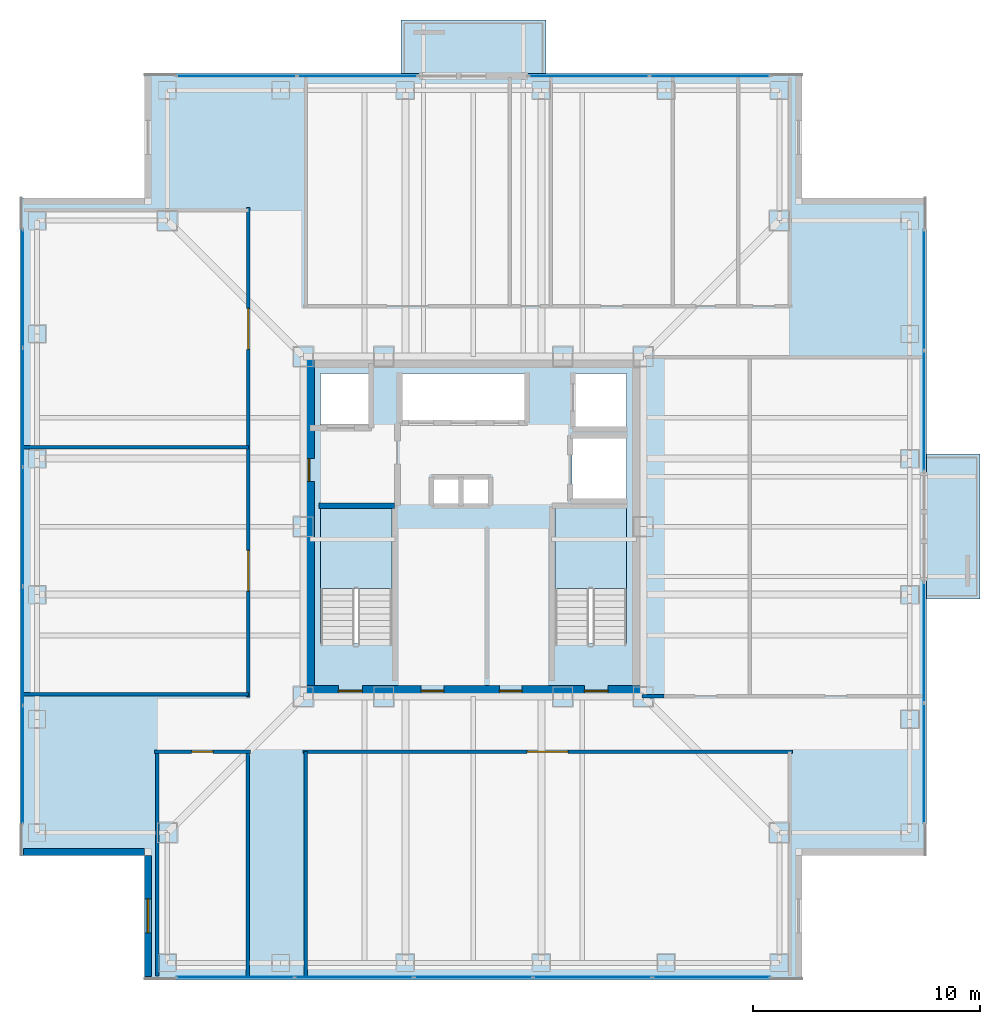
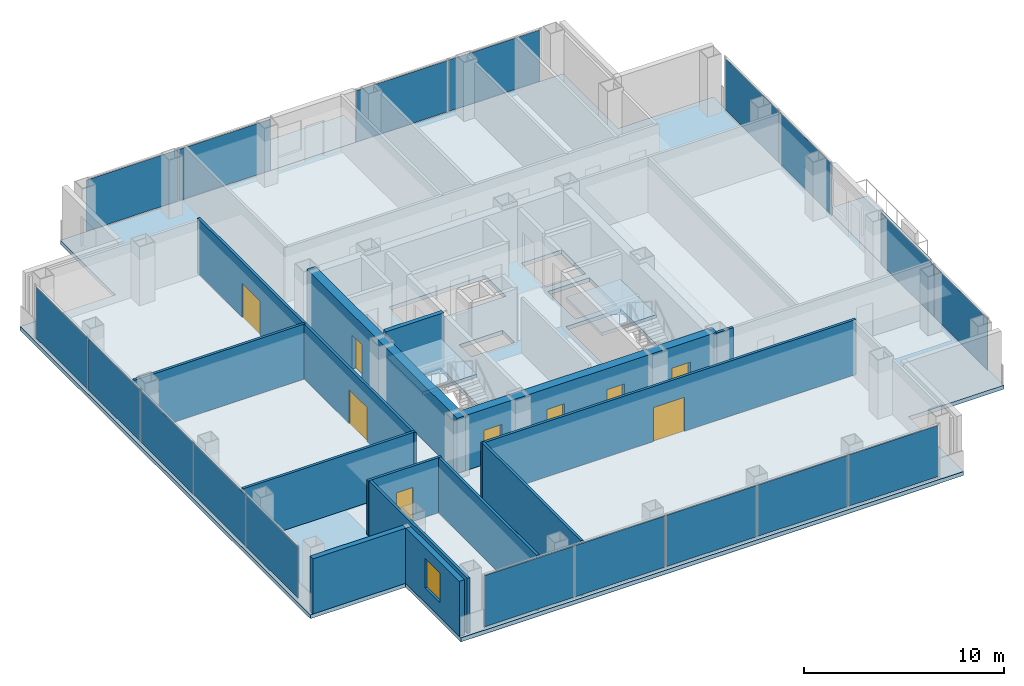
# One storey, part 9 of 17: 18 plates, 14 walls, 9 doors, 5 slabs, 1 window, 10 openings, 8 elements without a shape of their own.
"""IFC4 building model written with IfcOpenShell, lengths in metres."""

from ifc_helpers import new_model, si_unit, direction, frame, frame_2d, origin, origin_2d, place, context, subcontext, project, spatial, polyline, rectangle, outline, extrude, material, layer, layer_set, type_object, element, fill, aggregate, save


model = new_model("IFC4")

# Units and contexts
model_context = context("Model", 3, precision=1e-05, world=origin(), true_north=direction((0.0, 1.0)))
body_context = subcontext(model_context, "Body", "Model", "MODEL_VIEW")
ifc_project = project(units=[si_unit("LENGTHUNIT", "METRE"), si_unit("AREAUNIT", "SQUARE_METRE"), si_unit("VOLUMEUNIT", "CUBIC_METRE"), si_unit("PLANEANGLEUNIT", "RADIAN"), si_unit("MASSUNIT", "GRAM", prefix="KILO")], contexts=[model_context])

# Site, building, storey
site_placement = place(None, origin())
site = spatial("IfcSite", under=ifc_project, at=site_placement, CompositionType="ELEMENT")
building_placement = place(site_placement, origin())
building = spatial("IfcBuilding", under=site, at=building_placement, Name="Trevonay Congress Spire", CompositionType="ELEMENT")
storey_placement = place(building_placement, frame((0.0, 0.0, 187.800048828125)))
storey = spatial("IfcBuildingStorey", under=building, at=storey_placement, Name="L48", CompositionType="ELEMENT", Elevation=187.800048828125)

# Curtain wall, plates
ifc_material_1 = material(Name="Pale Anodised Aluminium EN AW-6063-T6", Category="aluminium")
ifc_layer_1 = layer(ifc_material_1, 0.169921875, Name="Pale Anodised Aluminium EN AW-6063-T6")
ifc_layer_set_1 = layer_set([ifc_layer_1], Name="Pale Anodised Aluminium EN AW-6063-T6")
curtain_wall_type = type_object("IfcCurtainWallType", Name="CW-SYS04-CORP-PALE-METAL", PredefinedType="NOTDEFINED", material=ifc_layer_set_1)
curtain_wall_1_placement = place(storey_placement, origin())
curtain_wall_1 = element("IfcCurtainWall", 1, at=curtain_wall_1_placement, inside=storey, type_object=curtain_wall_type, Name="L48 S unitised curtain wall", PredefinedType="NOTDEFINED")
ifc_material_2 = material(Name="Insulated Low-E Vision Glass IGU", Category="glass")
ifc_layer_2 = layer(ifc_material_2, 0.035888671875, Name="Insulated Low-E Vision Glass IGU")
ifc_layer_set_2 = layer_set([ifc_layer_2], Name="Insulated Low-E Vision Glass IGU")
plate_type = type_object("IfcPlateType", Name="CW-PANEL-IGU36-SILVER", PredefinedType="CURTAIN_PANEL", material=ifc_layer_set_2)
plate_1_placement = place(storey_placement, frame((-10.5048828125, -19.8798828125, 0.119873046875), z_axis=(0.0, 0.0, 1.0), x_axis=(1.0, 0.0, 0.0)))
plate_1 = element("IfcPlate", 2, at=plate_1_placement, type_object=plate_type, Name="CW04 panel 1.1", PredefinedType="CURTAIN_PANEL", context=body_context, shape_type="SweptSolid", body=[
    extrude(rectangle(XDim=5.169921875, YDim=0.035888671875, at=origin_2d()), origin(), (0.0, 0.0, 1.0), 3.1201171875),
])
plate_2_placement = place(storey_placement, frame((-5.260009765625, -19.8798828125, 0.119873046875), z_axis=(0.0, 0.0, 1.0), x_axis=(1.0, 0.0, 0.0)))
plate_2 = element("IfcPlate", 3, at=plate_2_placement, type_object=plate_type, Name="CW04 panel 2.1", PredefinedType="CURTAIN_PANEL", context=body_context, shape_type="SweptSolid", body=[
    extrude(rectangle(XDim=5.199951171875, YDim=0.035888671875, at=origin_2d()), origin(), (0.0, 0.0, 1.0), 3.1201171875),
])
plate_3_placement = place(storey_placement, frame((0.0, -19.8798828125, 0.119873046875), z_axis=(0.0, 0.0, 1.0), x_axis=(1.0, 0.0, 0.0)))
plate_3 = element("IfcPlate", 4, at=plate_3_placement, type_object=plate_type, Name="CW04 panel 3.1", PredefinedType="CURTAIN_PANEL", context=body_context, shape_type="SweptSolid", body=[
    extrude(rectangle(XDim=5.199951171875, YDim=0.035888671875, at=origin_2d()), origin(), (0.0, 0.0, 1.0), 3.1201171875),
])
plate_4_placement = place(storey_placement, frame((5.260009765625, -19.8798828125, 0.119873046875), z_axis=(0.0, 0.0, 1.0), x_axis=(1.0, 0.0, 0.0)))
plate_4 = element("IfcPlate", 5, at=plate_4_placement, type_object=plate_type, Name="CW04 panel 4.1", PredefinedType="CURTAIN_PANEL", context=body_context, shape_type="SweptSolid", body=[
    extrude(rectangle(XDim=5.199951171875, YDim=0.035888671875, at=origin_2d()), origin(), (0.0, 0.0, 1.0), 3.1201171875),
])
plate_5_placement = place(storey_placement, frame((10.5048828125, -19.8798828125, 0.119873046875), z_axis=(0.0, 0.0, 1.0), x_axis=(1.0, 0.0, 0.0)))
plate_5 = element("IfcPlate", 6, at=plate_5_placement, type_object=plate_type, Name="CW04 panel 5.1", PredefinedType="CURTAIN_PANEL", context=body_context, shape_type="SweptSolid", body=[
    extrude(rectangle(XDim=5.169921875, YDim=0.035888671875, at=origin_2d()), origin(), (0.0, 0.0, 1.0), 3.1201171875),
])
aggregate(curtain_wall_1, [plate_1, plate_2, plate_3, plate_4, plate_5])

curtain_wall_2_placement = place(storey_placement, origin())
curtain_wall_2 = element("IfcCurtainWall", 7, at=curtain_wall_2_placement, inside=storey, type_object=curtain_wall_type, Name="L48 NA unitised curtain wall", PredefinedType="NOTDEFINED")
plate_6_placement = place(storey_placement, frame((-10.447509765625, 19.8798828125, 0.119873046875), z_axis=(0.0, 0.0, 1.0), x_axis=(1.0, 0.0, 0.0)))
plate_6 = element("IfcPlate", 8, at=plate_6_placement, type_object=plate_type, Name="CW04 panel 1.1", PredefinedType="CURTAIN_PANEL", context=body_context, shape_type="SweptSolid", body=[
    extrude(rectangle(XDim=5.284912109375, YDim=0.035888671875, at=origin_2d()), origin(), (0.0, 0.0, 1.0), 3.1201171875),
])
plate_7_placement = place(storey_placement, frame((-5.1025390625, 19.8798828125, 0.119873046875), z_axis=(0.0, 0.0, 1.0), x_axis=(1.0, 0.0, 0.0)))
plate_7 = element("IfcPlate", 9, at=plate_7_placement, type_object=plate_type, Name="CW04 panel 2.1", PredefinedType="CURTAIN_PANEL", context=body_context, shape_type="SweptSolid", body=[
    extrude(rectangle(XDim=5.284912109375, YDim=0.035888671875, at=origin_2d()), origin(), (0.0, 0.0, 1.0), 3.1201171875),
])
aggregate(curtain_wall_2, [plate_6, plate_7])

curtain_wall_3_placement = place(storey_placement, origin())
curtain_wall_3 = element("IfcCurtainWall", 10, at=curtain_wall_3_placement, inside=storey, type_object=curtain_wall_type, Name="L48 NB unitised curtain wall", PredefinedType="NOTDEFINED")
plate_8_placement = place(storey_placement, frame((5.1025390625, 19.8798828125, 0.119873046875), z_axis=(0.0, 0.0, 1.0), x_axis=(1.0, 0.0, 0.0)))
plate_8 = element("IfcPlate", 11, at=plate_8_placement, type_object=plate_type, Name="CW04 panel 1.1", PredefinedType="CURTAIN_PANEL", context=body_context, shape_type="SweptSolid", body=[
    extrude(rectangle(XDim=5.284912109375, YDim=0.035888671875, at=origin_2d()), origin(), (0.0, 0.0, 1.0), 3.1201171875),
])
plate_9_placement = place(storey_placement, frame((10.447509765625, 19.8798828125, 0.119873046875), z_axis=(0.0, 0.0, 1.0), x_axis=(1.0, 0.0, 0.0)))
plate_9 = element("IfcPlate", 12, at=plate_9_placement, type_object=plate_type, Name="CW04 panel 2.1", PredefinedType="CURTAIN_PANEL", context=body_context, shape_type="SweptSolid", body=[
    extrude(rectangle(XDim=5.284912109375, YDim=0.035888671875, at=origin_2d()), origin(), (0.0, 0.0, 1.0), 3.1201171875),
])
aggregate(curtain_wall_3, [plate_8, plate_9])

curtain_wall_4_placement = place(storey_placement, origin())
curtain_wall_4 = element("IfcCurtainWall", 13, at=curtain_wall_4_placement, inside=storey, type_object=curtain_wall_type, Name="L48 W unitised curtain wall", PredefinedType="NOTDEFINED")
plate_10_placement = place(storey_placement, frame((-19.8798828125, -10.5048828125, 0.119873046875), z_axis=(0.0, 0.0, 1.0), x_axis=(0.0, 1.0, 0.0)))
plate_10 = element("IfcPlate", 14, at=plate_10_placement, type_object=plate_type, Name="CW04 panel 1.1", PredefinedType="CURTAIN_PANEL", context=body_context, shape_type="SweptSolid", body=[
    extrude(rectangle(XDim=5.169921875, YDim=0.035888671875, at=origin_2d()), origin(), (0.0, 0.0, 1.0), 3.1201171875),
])
plate_11_placement = place(storey_placement, frame((-19.8798828125, -5.260009765625, 0.119873046875), z_axis=(0.0, 0.0, 1.0), x_axis=(0.0, 1.0, 0.0)))
plate_11 = element("IfcPlate", 15, at=plate_11_placement, type_object=plate_type, Name="CW04 panel 2.1", PredefinedType="CURTAIN_PANEL", context=body_context, shape_type="SweptSolid", body=[
    extrude(rectangle(XDim=5.199951171875, YDim=0.035888671875, at=origin_2d()), origin(), (0.0, 0.0, 1.0), 3.1201171875),
])
plate_12_placement = place(storey_placement, frame((-19.8798828125, 0.0, 0.119873046875), z_axis=(0.0, 0.0, 1.0), x_axis=(0.0, 1.0, 0.0)))
plate_12 = element("IfcPlate", 16, at=plate_12_placement, type_object=plate_type, Name="CW04 panel 3.1", PredefinedType="CURTAIN_PANEL", context=body_context, shape_type="SweptSolid", body=[
    extrude(rectangle(XDim=5.199951171875, YDim=0.035888671875, at=origin_2d()), origin(), (0.0, 0.0, 1.0), 3.1201171875),
])
plate_13_placement = place(storey_placement, frame((-19.8798828125, 5.260009765625, 0.119873046875), z_axis=(0.0, 0.0, 1.0), x_axis=(0.0, 1.0, 0.0)))
plate_13 = element("IfcPlate", 17, at=plate_13_placement, type_object=plate_type, Name="CW04 panel 4.1", PredefinedType="CURTAIN_PANEL", context=body_context, shape_type="SweptSolid", body=[
    extrude(rectangle(XDim=5.199951171875, YDim=0.035888671875, at=origin_2d()), origin(), (0.0, 0.0, 1.0), 3.1201171875),
])
plate_14_placement = place(storey_placement, frame((-19.8798828125, 10.5048828125, 0.119873046875), z_axis=(0.0, 0.0, 1.0), x_axis=(0.0, 1.0, 0.0)))
plate_14 = element("IfcPlate", 18, at=plate_14_placement, type_object=plate_type, Name="CW04 panel 5.1", PredefinedType="CURTAIN_PANEL", context=body_context, shape_type="SweptSolid", body=[
    extrude(rectangle(XDim=5.169921875, YDim=0.035888671875, at=origin_2d()), origin(), (0.0, 0.0, 1.0), 3.1201171875),
])
aggregate(curtain_wall_4, [plate_10, plate_11, plate_12, plate_13, plate_14])

curtain_wall_5_placement = place(storey_placement, origin())
curtain_wall_5 = element("IfcCurtainWall", 19, at=curtain_wall_5_placement, inside=storey, type_object=curtain_wall_type, Name="L48 EA unitised curtain wall", PredefinedType="NOTDEFINED")
plate_15_placement = place(storey_placement, frame((19.8798828125, -10.447509765625, 0.119873046875), z_axis=(0.0, 0.0, 1.0), x_axis=(0.0, 1.0, 0.0)))
plate_15 = element("IfcPlate", 20, at=plate_15_placement, type_object=plate_type, Name="CW04 panel 1.1", PredefinedType="CURTAIN_PANEL", context=body_context, shape_type="SweptSolid", body=[
    extrude(rectangle(XDim=5.284912109375, YDim=0.035888671875, at=origin_2d()), origin(), (0.0, 0.0, 1.0), 3.1201171875),
])
plate_16_placement = place(storey_placement, frame((19.8798828125, -5.1025390625, 0.119873046875), z_axis=(0.0, 0.0, 1.0), x_axis=(0.0, 1.0, 0.0)))
plate_16 = element("IfcPlate", 21, at=plate_16_placement, type_object=plate_type, Name="CW04 panel 2.1", PredefinedType="CURTAIN_PANEL", context=body_context, shape_type="SweptSolid", body=[
    extrude(rectangle(XDim=5.284912109375, YDim=0.035888671875, at=origin_2d()), origin(), (0.0, 0.0, 1.0), 3.1201171875),
])
aggregate(curtain_wall_5, [plate_15, plate_16])

curtain_wall_6_placement = place(storey_placement, origin())
curtain_wall_6 = element("IfcCurtainWall", 22, at=curtain_wall_6_placement, inside=storey, type_object=curtain_wall_type, Name="L48 EB unitised curtain wall", PredefinedType="NOTDEFINED")
plate_17_placement = place(storey_placement, frame((19.8798828125, 5.1025390625, 0.119873046875), z_axis=(0.0, 0.0, 1.0), x_axis=(0.0, 1.0, 0.0)))
plate_17 = element("IfcPlate", 23, at=plate_17_placement, type_object=plate_type, Name="CW04 panel 1.1", PredefinedType="CURTAIN_PANEL", context=body_context, shape_type="SweptSolid", body=[
    extrude(rectangle(XDim=5.284912109375, YDim=0.035888671875, at=origin_2d()), origin(), (0.0, 0.0, 1.0), 3.1201171875),
])
plate_18_placement = place(storey_placement, frame((19.8798828125, 10.447509765625, 0.119873046875), z_axis=(0.0, 0.0, 1.0), x_axis=(0.0, 1.0, 0.0)))
plate_18 = element("IfcPlate", 24, at=plate_18_placement, type_object=plate_type, Name="CW04 panel 2.1", PredefinedType="CURTAIN_PANEL", context=body_context, shape_type="SweptSolid", body=[
    extrude(rectangle(XDim=5.284912109375, YDim=0.035888671875, at=origin_2d()), origin(), (0.0, 0.0, 1.0), 3.1201171875),
])
aggregate(curtain_wall_6, [plate_17, plate_18])

# Stair, slab
ifc_material_3 = material(Name="Concrete C40/50", Category="concrete")
stair_type_1 = type_object("IfcStairType", Name="STR-ST-1", PredefinedType="HALF_TURN_STAIR", material=ifc_material_3)
stair_1_placement = place(storey_placement, origin())
stair_1 = element("IfcStair", 25, at=stair_1_placement, inside=storey, type_object=stair_type_1, Name="L48 Protected Exit Stair ST-1", PredefinedType="HALF_TURN_STAIR")
ifc_layer_3 = layer(ifc_material_3, 0.199951171875, Name="Concrete C40/50")
ifc_layer_set_3 = layer_set([ifc_layer_3], Name="Concrete C40/50")
slab_type_1 = type_object("IfcSlabType", Name="SLB-STAIR-LAND-200", PredefinedType="LANDING", material=ifc_layer_set_3)
slab_1_placement = place(storey_placement, frame((0.0, 0.0, 1.599853515625)))
slab_1 = element("IfcSlab", 26, at=slab_1_placement, type_object=slab_type_1, Name="ST-1 landing 1", PredefinedType="LANDING", context=body_context, shape_type="SweptSolid", body=[
    extrude(outline(polyline([(-3.60009765625, -2.72998046875), (-3.60009765625, 0.85009765625), (-6.75, 0.85009765625), (-6.75, -2.72998046875), (-3.60009765625, -2.72998046875)])), origin(), (0.0, 0.0, 1.0), 0.2001953125),
])
aggregate(stair_1, [slab_1])

stair_type_2 = type_object("IfcStairType", Name="STR-ST-2", PredefinedType="HALF_TURN_STAIR", material=ifc_material_3)
stair_2_placement = place(storey_placement, origin())
stair_2 = element("IfcStair", 27, at=stair_2_placement, inside=storey, type_object=stair_type_2, Name="L48 Protected Exit Stair ST-2", PredefinedType="HALF_TURN_STAIR")
slab_2_placement = place(storey_placement, frame((0.0, 0.0, 1.599853515625)))
slab_2 = element("IfcSlab", 28, at=slab_2_placement, type_object=slab_type_1, Name="ST-2 landing 1", PredefinedType="LANDING", context=body_context, shape_type="SweptSolid", body=[
    extrude(outline(polyline([(6.75, -2.72998046875), (6.75, 0.85009765625), (3.60009765625, 0.85009765625), (3.60009765625, -2.72998046875), (6.75, -2.72998046875)])), origin(), (0.0, 0.0, 1.0), 0.2001953125),
])
aggregate(stair_2, [slab_2])

# Slabs
ifc_layer_4 = layer(ifc_material_3, 0.239990234375, Name="Concrete C40/50")
ifc_layer_set_4 = layer_set([ifc_layer_4], Name="Concrete C40/50")
slab_type_2 = type_object("IfcSlabType", Name="SLB-TOW2-240", PredefinedType="FLOOR", material=ifc_layer_set_4)
slab_3_placement = place(storey_placement, frame((0.0, 0.0, -0.239990234375)))
element("IfcSlab", 29, at=slab_3_placement, inside=storey, type_object=slab_type_2, Name="L48 structural floor slab", PredefinedType="FLOOR", context=body_context, shape_type="SweptSolid", body=[
    extrude(outline(polyline([(-14.5, -20.0), (14.5, -20.0), (14.5, -14.5), (20.0, -14.5), (20.0, 14.5), (14.5, 14.5), (14.5, 20.0), (-14.5, 20.0), (-14.5, 14.5), (-20.0, 14.5), (-20.0, -14.5), (-14.5, -14.5), (-14.5, -20.0)]), holes=[polyline([(-3.60009765625, -5.14990234375), (-3.60009765625, 0.85009765625), (-6.75, 0.85009765625), (-6.75, -5.14990234375), (-3.60009765625, -5.14990234375)]), polyline([(6.75, -5.14990234375), (6.75, 0.85009765625), (3.60009765625, 0.85009765625), (3.60009765625, -5.14990234375), (6.75, -5.14990234375)]), polyline([(-3.199951171875, 4.64990234375), (2.340087890625, 4.64990234375), (2.340087890625, 6.75), (-3.199951171875, 6.75), (-3.199951171875, 4.64990234375)]), polyline([(-6.75, 4.35009765625), (-4.449951171875, 4.35009765625), (-4.449951171875, 6.75), (-6.75, 6.75), (-6.75, 4.35009765625)]), polyline([(4.449951171875, 4.35009765625), (6.75, 4.35009765625), (6.75, 6.75), (4.449951171875, 6.75), (4.449951171875, 4.35009765625)]), polyline([(4.35009765625, 1.199951171875), (6.75, 1.199951171875), (6.75, 3.949951171875), (4.35009765625, 3.949951171875), (4.35009765625, 1.199951171875)]), polyline([(-1.800048828125, 0.949951171875), (0.699951171875, 0.949951171875), (0.699951171875, 2.14990234375), (-1.800048828125, 2.14990234375), (-1.800048828125, 0.949951171875)])]), origin(), (0.0, 0.0, 1.0), 0.239990234375),
])
ifc_layer_5 = layer(ifc_material_3, 0.2099609375, Name="Concrete C40/50")
ifc_layer_set_5 = layer_set([ifc_layer_5], Name="Concrete C40/50")
slab_type_3 = type_object("IfcSlabType", Name="SLB-TREEBAL-210", PredefinedType="FLOOR", material=ifc_layer_set_5)
slab_4_placement = place(storey_placement, frame((0.0, 0.0, -0.2099609375)))
element("IfcSlab", 30, at=slab_4_placement, inside=storey, type_object=slab_type_3, Name="L48 cantilevered tree-planter balcony pod N", PredefinedType="FLOOR", context=body_context, shape_type="SweptSolid", body=[
    extrude(outline(polyline([(-3.199951171875, 20.0), (3.199951171875, 20.0), (3.199951171875, 22.35009765625), (-3.199951171875, 22.35009765625), (-3.199951171875, 20.0)])), origin(), (0.0, 0.0, 1.0), 0.2099609375),
])
slab_5_placement = place(storey_placement, frame((0.0, 0.0, -0.2099609375)))
element("IfcSlab", 31, at=slab_5_placement, inside=storey, type_object=slab_type_3, Name="L48 cantilevered tree-planter balcony pod E", PredefinedType="FLOOR", context=body_context, shape_type="SweptSolid", body=[
    extrude(outline(polyline([(20.0, -3.199951171875), (22.35009765625, -3.199951171875), (22.35009765625, 3.199951171875), (20.0, 3.199951171875), (20.0, -3.199951171875)])), origin(), (0.0, 0.0, 1.0), 0.2099609375),
])

# Wall, openings, doors
ifc_material_4 = material(Name="Concrete C50/60", Category="concrete")
ifc_layer_6 = layer(ifc_material_4, 0.5, Name="Concrete C50/60")
ifc_layer_set_6 = layer_set([ifc_layer_6], Name="Concrete C50/60")
wall_type_1 = type_object("IfcWallType", Name="WAL-CORE-500", PredefinedType="SHEAR", material=ifc_layer_set_6)
wall_1_placement = place(storey_placement, frame((-7.5, -7.25, 0.0), z_axis=(0.0, 0.0, 1.0), x_axis=(1.0, 0.0, 0.0)))
wall_1 = element("IfcWall", 32, at=wall_1_placement, inside=storey, type_object=wall_type_1, Name="L48 South structural core shear wall", PredefinedType="SHEAR", context=body_context, shape_type="SweptSolid", body=[
    extrude(rectangle(XDim=15.0, YDim=0.5, at=frame_2d((7.5, 0.0))), origin(), (0.0, 0.0, 1.0), 3.35986328125),
])
opening_1_placement = place(wall_1_placement, frame((1.550048828125, 0.0, 0.0)))
opening_1 = element("IfcOpeningElement", 33, at=opening_1_placement, cuts=wall_1, Name="Opening D05", PredefinedType="OPENING", context=body_context, shape_type="SweptSolid", body=[
    extrude(rectangle(XDim=1.050048828125, YDim=2.080078125, at=frame_2d((0.52490234375, 1.0400390625))), frame((0.0, 0.260009765625, 0.0), z_axis=(0.0, -1.0, 0.0), x_axis=(1.0, 0.0, 0.0)), (0.0, 0.0, 1.0), 0.52001953125),
])
opening_2_placement = place(wall_1_placement, frame((12.39990234375, 0.0, 0.0)))
opening_2 = element("IfcOpeningElement", 34, at=opening_2_placement, cuts=wall_1, Name="Opening D05", PredefinedType="OPENING", context=body_context, shape_type="SweptSolid", body=[
    extrude(rectangle(XDim=1.050048828125, YDim=2.080078125, at=frame_2d((0.52490234375, 1.0400390625))), frame((0.0, 0.260009765625, 0.0), z_axis=(0.0, -1.0, 0.0), x_axis=(1.0, 0.0, 0.0)), (0.0, 0.0, 1.0), 0.52001953125),
])
opening_3_placement = place(wall_1_placement, frame((5.199951171875, 0.0, 0.0)))
opening_3 = element("IfcOpeningElement", 35, at=opening_3_placement, cuts=wall_1, Name="Opening D06", PredefinedType="OPENING", context=body_context, shape_type="SweptSolid", body=[
    extrude(rectangle(XDim=1.0, YDim=2.080078125, at=frame_2d((0.5, 1.0400390625))), frame((0.0, 0.260009765625, 0.0), z_axis=(0.0, -1.0, 0.0), x_axis=(1.0, 0.0, 0.0)), (0.0, 0.0, 1.0), 0.52001953125),
])
opening_4_placement = place(wall_1_placement, frame((8.64990234375, 0.0, 0.0)))
opening_4 = element("IfcOpeningElement", 36, at=opening_4_placement, cuts=wall_1, Name="Opening D06", PredefinedType="OPENING", context=body_context, shape_type="SweptSolid", body=[
    extrude(rectangle(XDim=1.0, YDim=2.080078125, at=frame_2d((0.5, 1.0400390625))), frame((0.0, 0.260009765625, 0.0), z_axis=(0.0, -1.0, 0.0), x_axis=(1.0, 0.0, 0.0)), (0.0, 0.0, 1.0), 0.52001953125),
])
ifc_material_5 = material(Name="Steel ASTM A572 Grade 50", Category="steel")
door_type_1 = type_object("IfcDoorType", Name="DOR-FIRE-100", OperationType="NOTDEFINED", PredefinedType="DOOR", material=ifc_material_5)
door_1_placement = place(opening_3_placement, origin())
door_1 = element("IfcDoor", 37, at=door_1_placement, inside=storey, type_object=door_type_1, Name="L48 South Core Room 1 Door", OperationType="SINGLE_SWING_RIGHT", OverallHeight=2.080078125, OverallWidth=1.0, PredefinedType="DOOR", context=body_context, shape_type="SweptSolid", body=[
    extrude(rectangle(XDim=1.0, YDim=2.080078125, at=frame_2d((0.5, 1.0400390625))), frame((0.0, 0.02490234375, 0.0), z_axis=(0.0, -1.0, 0.0), x_axis=(1.0, 0.0, 0.0)), (0.0, 0.0, 1.0), 0.050048828125),
])
fill(opening_3, door_1)
door_2_placement = place(opening_4_placement, origin())
door_2 = element("IfcDoor", 38, at=door_2_placement, inside=storey, type_object=door_type_1, Name="L48 South Core Room 2 Door", OperationType="SINGLE_SWING_LEFT", OverallHeight=2.080078125, OverallWidth=1.0, PredefinedType="DOOR", context=body_context, shape_type="SweptSolid", body=[
    extrude(rectangle(XDim=1.0, YDim=2.080078125, at=frame_2d((0.5, 1.0400390625))), frame((0.0, 0.02490234375, 0.0), z_axis=(0.0, -1.0, 0.0), x_axis=(1.0, 0.0, 0.0)), (0.0, 0.0, 1.0), 0.050048828125),
])
fill(opening_4, door_2)
door_type_2 = type_object("IfcDoorType", Name="DOR-STAIR-110", OperationType="NOTDEFINED", PredefinedType="DOOR", material=ifc_material_5)
door_3_placement = place(opening_1_placement, origin())
door_3 = element("IfcDoor", 39, at=door_3_placement, inside=storey, type_object=door_type_2, Name="L48 Protected Stair ST-1 Door", OperationType="SINGLE_SWING_LEFT", OverallHeight=2.080078125, OverallWidth=1.050048828125, PredefinedType="DOOR", context=body_context, shape_type="SweptSolid", body=[
    extrude(rectangle(XDim=1.050048828125, YDim=2.080078125, at=frame_2d((0.52490234375, 1.0400390625))), frame((0.0, 0.02490234375, 0.0), z_axis=(0.0, -1.0, 0.0), x_axis=(1.0, 0.0, 0.0)), (0.0, 0.0, 1.0), 0.050048828125),
])
fill(opening_1, door_3)
door_4_placement = place(opening_2_placement, origin())
door_4 = element("IfcDoor", 40, at=door_4_placement, inside=storey, type_object=door_type_2, Name="L48 Protected Stair ST-2 Door", OperationType="SINGLE_SWING_RIGHT", OverallHeight=2.080078125, OverallWidth=1.050048828125, PredefinedType="DOOR", context=body_context, shape_type="SweptSolid", body=[
    extrude(rectangle(XDim=1.050048828125, YDim=2.080078125, at=frame_2d((0.52490234375, 1.0400390625))), frame((0.0, 0.02490234375, 0.0), z_axis=(0.0, -1.0, 0.0), x_axis=(1.0, 0.0, 0.0)), (0.0, 0.0, 1.0), 0.050048828125),
])
fill(opening_2, door_4)

# Wall, opening, door
wall_2_placement = place(storey_placement, frame((-7.25, -7.5, 0.0), z_axis=(0.0, 0.0, 1.0), x_axis=(0.0, 1.0, 0.0)))
wall_2 = element("IfcWall", 41, at=wall_2_placement, inside=storey, type_object=wall_type_1, Name="L48 West structural core shear wall", PredefinedType="SHEAR", context=body_context, shape_type="SweptSolid", body=[
    extrude(rectangle(XDim=15.0, YDim=0.5, at=frame_2d((7.5, 0.0))), origin(), (0.0, 0.0, 1.0), 3.35986328125),
])
opening_5_placement = place(wall_2_placement, frame((9.5, 0.0, 0.0)))
opening_5 = element("IfcOpeningElement", 42, at=opening_5_placement, cuts=wall_2, Name="Opening D06", PredefinedType="OPENING", context=body_context, shape_type="SweptSolid", body=[
    extrude(rectangle(XDim=1.0, YDim=2.080078125, at=frame_2d((0.5, 1.0400390625))), frame((0.0, 0.260009765625, 0.0), z_axis=(0.0, -1.0, 0.0), x_axis=(1.0, 0.0, 0.0)), (0.0, 0.0, 1.0), 0.52001953125),
])
door_5_placement = place(opening_5_placement, origin())
door_5 = element("IfcDoor", 43, at=door_5_placement, inside=storey, type_object=door_type_1, Name="L48 Firefighting Lift Lobby West Corridor Door", OperationType="SINGLE_SWING_LEFT", OverallHeight=2.080078125, OverallWidth=1.0, PredefinedType="DOOR", context=body_context, shape_type="SweptSolid", body=[
    extrude(rectangle(XDim=1.0, YDim=2.080078125, at=frame_2d((0.5, 1.0400390625))), frame((0.0, 0.02490234375, 0.0), z_axis=(0.0, -1.0, 0.0), x_axis=(1.0, 0.0, 0.0)), (0.0, 0.0, 1.0), 0.050048828125),
])
fill(opening_5, door_5)

ifc_layer_7 = layer(ifc_material_3, 0.14990234375, Name="Concrete C40/50")
ifc_layer_set_7 = layer_set([ifc_layer_7], Name="Concrete C40/50")
wall_type_2 = type_object("IfcWallType", Name="WAL-CORR-150", PredefinedType="PARTITIONING", material=ifc_layer_set_7)
wall_3_placement = place(storey_placement, frame((-14.070068359375, -9.929931640625, 0.0), z_axis=(0.0, 0.0, 1.0), x_axis=(1.0, 0.0, 0.0)))
wall_3 = element("IfcWall", 44, at=wall_3_placement, inside=storey, type_object=wall_type_2, Name="L48 interior wall WP-L48SW-COR", PredefinedType="PARTITIONING", context=body_context, shape_type="SweptSolid", body=[
    extrude(rectangle(XDim=4.239990234375, YDim=0.14990234375, at=frame_2d((2.1201171875, 0.0))), origin(), (0.0, 0.0, 1.0), 3.35986328125),
])
opening_6_placement = place(wall_3_placement, frame((1.64501953125, 0.0, 0.0)))
opening_6 = element("IfcOpeningElement", 45, at=opening_6_placement, cuts=wall_3, Name="Opening D07", PredefinedType="OPENING", context=body_context, shape_type="SweptSolid", body=[
    extrude(rectangle(XDim=0.949951171875, YDim=2.06005859375, at=frame_2d((0.47509765625, 1.030029296875))), frame((0.0, 0.0849609375, 0.0), z_axis=(0.0, -1.0, 0.0), x_axis=(1.0, 0.0, 0.0)), (0.0, 0.0, 1.0), 0.169921875),
])
door_type_3 = type_object("IfcDoorType", Name="DOR-OFFICE-95", OperationType="NOTDEFINED", PredefinedType="DOOR", material=ifc_material_1)
door_6_placement = place(opening_6_placement, origin())
door_6 = element("IfcDoor", 46, at=door_6_placement, inside=storey, type_object=door_type_3, Name="L48 Tribunal Judges Deliberation Room Door", OperationType="SINGLE_SWING_LEFT", OverallHeight=2.06005859375, OverallWidth=0.949951171875, PredefinedType="DOOR", context=body_context, shape_type="SweptSolid", body=[
    extrude(rectangle(XDim=0.949951171875, YDim=2.06005859375, at=frame_2d((0.47509765625, 1.030029296875))), frame((0.0, 0.02490234375, 0.0), z_axis=(0.0, -1.0, 0.0), x_axis=(1.0, 0.0, 0.0)), (0.0, 0.0, 1.0), 0.050048828125),
])
fill(opening_6, door_6)

wall_4_placement = place(storey_placement, frame((-7.52001953125, -9.929931640625, 0.0), z_axis=(0.0, 0.0, 1.0), x_axis=(1.0, 0.0, 0.0)))
wall_4 = element("IfcWall", 47, at=wall_4_placement, inside=storey, type_object=wall_type_2, Name="L48 interior wall WP-L48SE-COR", PredefinedType="PARTITIONING", context=body_context, shape_type="SweptSolid", body=[
    extrude(rectangle(XDim=21.590087890625, YDim=0.14990234375, at=frame_2d((10.794921875, 0.0))), origin(), (0.0, 0.0, 1.0), 3.35986328125),
])
opening_7_placement = place(wall_4_placement, frame((9.89501953125, 0.0, 0.0)))
opening_7 = element("IfcOpeningElement", 48, at=opening_7_placement, cuts=wall_4, Name="Opening D09", PredefinedType="OPENING", context=body_context, shape_type="SweptSolid", body=[
    extrude(rectangle(XDim=1.800048828125, YDim=2.080078125, at=frame_2d((0.89990234375, 1.0400390625))), frame((0.0, 0.0849609375, 0.0), z_axis=(0.0, -1.0, 0.0), x_axis=(1.0, 0.0, 0.0)), (0.0, 0.0, 1.0), 0.169921875),
])
door_type_4 = type_object("IfcDoorType", Name="DOR-CONF-DBL", OperationType="DOUBLE_DOOR_SINGLE_SWING", PredefinedType="DOOR", material=ifc_material_1)
door_7_placement = place(opening_7_placement, origin())
door_7 = element("IfcDoor", 49, at=door_7_placement, inside=storey, type_object=door_type_4, Name="L48 Grand International Arbitration Hearing Hall Door", OperationType="DOUBLE_DOOR_SINGLE_SWING", OverallHeight=2.080078125, OverallWidth=1.800048828125, PredefinedType="DOOR", context=body_context, shape_type="SweptSolid", body=[
    extrude(rectangle(XDim=1.800048828125, YDim=2.080078125, at=frame_2d((0.89990234375, 1.0400390625))), frame((0.0, 0.02490234375, 0.0), z_axis=(0.0, -1.0, 0.0), x_axis=(1.0, 0.0, 0.0)), (0.0, 0.0, 1.0), 0.050048828125),
])
fill(opening_7, door_7)

# Wall, openings, doors
wall_5_placement = place(storey_placement, frame((-9.929931640625, -7.52001953125, 0.0), z_axis=(0.0, 0.0, 1.0), x_axis=(0.0, 1.0, 0.0)))
wall_5 = element("IfcWall", 50, at=wall_5_placement, inside=storey, type_object=wall_type_2, Name="L48 interior wall WP-L48NW-COR", PredefinedType="PARTITIONING", context=body_context, shape_type="SweptSolid", body=[
    extrude(rectangle(XDim=21.590087890625, YDim=0.14990234375, at=frame_2d((10.794921875, 0.0))), origin(), (0.0, 0.0, 1.0), 3.35986328125),
])
opening_8_placement = place(wall_5_placement, frame((4.669921875, 0.0, 0.0)))
opening_8 = element("IfcOpeningElement", 51, at=opening_8_placement, cuts=wall_5, Name="Opening D09", PredefinedType="OPENING", context=body_context, shape_type="SweptSolid", body=[
    extrude(rectangle(XDim=1.800048828125, YDim=2.080078125, at=frame_2d((0.89990234375, 1.0400390625))), frame((0.0, 0.0849609375, 0.0), z_axis=(0.0, -1.0, 0.0), x_axis=(1.0, 0.0, 0.0)), (0.0, 0.0, 1.0), 0.169921875),
])
opening_9_placement = place(wall_5_placement, frame((15.344970703125, 0.0, 0.0)))
opening_9 = element("IfcOpeningElement", 52, at=opening_9_placement, cuts=wall_5, Name="Opening D09", PredefinedType="OPENING", context=body_context, shape_type="SweptSolid", body=[
    extrude(rectangle(XDim=1.800048828125, YDim=2.080078125, at=frame_2d((0.89990234375, 1.0400390625))), frame((0.0, 0.0849609375, 0.0), z_axis=(0.0, -1.0, 0.0), x_axis=(1.0, 0.0, 0.0)), (0.0, 0.0, 1.0), 0.169921875),
])
door_8_placement = place(opening_8_placement, origin())
door_8 = element("IfcDoor", 53, at=door_8_placement, inside=storey, type_object=door_type_4, Name="L48 Claimant Caucus Boardroom Door", OperationType="DOUBLE_DOOR_SINGLE_SWING", OverallHeight=2.080078125, OverallWidth=1.800048828125, PredefinedType="DOOR", context=body_context, shape_type="SweptSolid", body=[
    extrude(rectangle(XDim=1.800048828125, YDim=2.080078125, at=frame_2d((0.89990234375, 1.0400390625))), frame((0.0, 0.02490234375, 0.0), z_axis=(0.0, -1.0, 0.0), x_axis=(1.0, 0.0, 0.0)), (0.0, 0.0, 1.0), 0.050048828125),
])
fill(opening_8, door_8)
door_9_placement = place(opening_9_placement, origin())
door_9 = element("IfcDoor", 54, at=door_9_placement, inside=storey, type_object=door_type_4, Name="L48 Respondent Caucus Boardroom Door", OperationType="DOUBLE_DOOR_SINGLE_SWING", OverallHeight=2.080078125, OverallWidth=1.800048828125, PredefinedType="DOOR", context=body_context, shape_type="SweptSolid", body=[
    extrude(rectangle(XDim=1.800048828125, YDim=2.080078125, at=frame_2d((0.89990234375, 1.0400390625))), frame((0.0, 0.02490234375, 0.0), z_axis=(0.0, -1.0, 0.0), x_axis=(1.0, 0.0, 0.0)), (0.0, 0.0, 1.0), 0.050048828125),
])
fill(opening_9, door_9)

# Wall
wall_6_placement = place(storey_placement, frame((7.449951171875, -7.47998046875, 0.0), z_axis=(0.0, 0.0, 1.0), x_axis=(1.0, 0.0, 0.0)))
element("IfcWall", 55, at=wall_6_placement, inside=storey, type_object=wall_type_2, Name="L48 interior wall WP-L48E-STUB", PredefinedType="PARTITIONING", context=body_context, shape_type="SweptSolid", body=[
    extrude(rectangle(XDim=0.949951171875, YDim=0.14990234375, at=frame_2d((0.47509765625, 0.0))), origin(), (0.0, 0.0, 1.0), 3.35986328125),
])

# Wall, opening, window
ifc_material_6 = material(Name="Precast concrete C40/50", Category="concrete")
ifc_layer_8 = layer(ifc_material_6, 0.300048828125, Name="Precast concrete C40/50")
ifc_layer_set_8 = layer_set([ifc_layer_8], Name="Precast concrete C40/50")
wall_type_3 = type_object("IfcWallType", Name="WAL-EXT-PRECAST-300", PredefinedType="SOLIDWALL", material=ifc_layer_set_8)
wall_7_placement = place(storey_placement, frame((-14.35009765625, -19.85009765625, 0.0), z_axis=(0.0, 0.0, 1.0), x_axis=(0.0, 1.0, 0.0)))
wall_7 = element("IfcWall", 56, at=wall_7_placement, inside=storey, type_object=wall_type_3, Name="L48 SW re-entrant notch exterior wall 1", PredefinedType="SOLIDWALL", context=body_context, shape_type="SweptSolid", body=[
    extrude(rectangle(XDim=5.35009765625, YDim=0.300048828125, at=frame_2d((2.675048828125, 0.0))), origin(), (0.0, 0.0, 1.0), 3.35986328125),
])
opening_10_placement = place(wall_7_placement, frame((1.925048828125, 0.0, 0.89990234375)))
opening_10 = element("IfcOpeningElement", 57, at=opening_10_placement, cuts=wall_7, Name="Opening WN03", PredefinedType="OPENING", context=body_context, shape_type="SweptSolid", body=[
    extrude(rectangle(XDim=1.5, YDim=1.800048828125, at=frame_2d((0.75, 0.89990234375))), frame((0.0, 0.16015625, 0.0), z_axis=(0.0, -1.0, 0.0), x_axis=(1.0, 0.0, 0.0)), (0.0, 0.0, 1.0), 0.320068359375),
])
window_type = type_object("IfcWindowType", Name="WIN-NOTCH-150X180", PartitioningType="SINGLE_PANEL", PredefinedType="WINDOW", material=ifc_material_2)
window_placement = place(opening_10_placement, origin())
window = element("IfcWindow", 58, at=window_placement, inside=storey, type_object=window_type, Name="L48 SW corner notch window", OverallHeight=1.800048828125, OverallWidth=1.5, PartitioningType="SINGLE_PANEL", PredefinedType="WINDOW", context=body_context, shape_type="SweptSolid", body=[
    extrude(rectangle(XDim=1.5, YDim=1.800048828125, at=frame_2d((0.75, 0.89990234375))), frame((0.0, 0.030029296875, 0.0), z_axis=(0.0, -1.0, 0.0), x_axis=(1.0, 0.0, 0.0)), (0.0, 0.0, 1.0), 0.06005859375),
])
fill(opening_10, window)

# Walls
wall_8_placement = place(storey_placement, frame((-19.85009765625, -14.35009765625, 0.0), z_axis=(0.0, 0.0, 1.0), x_axis=(1.0, 0.0, 0.0)))
element("IfcWall", 59, at=wall_8_placement, inside=storey, type_object=wall_type_3, Name="L48 SW re-entrant notch exterior wall 2", PredefinedType="SOLIDWALL", context=body_context, shape_type="SweptSolid", body=[
    extrude(rectangle(XDim=5.35009765625, YDim=0.300048828125, at=frame_2d((2.675048828125, 0.0))), origin(), (0.0, 0.0, 1.0), 3.35986328125),
])
ifc_layer_9 = layer(ifc_material_3, 0.14990234375, Name="Concrete C40/50")
ifc_layer_set_9 = layer_set([ifc_layer_9], Name="Concrete C40/50")
wall_type_4 = type_object("IfcWallType", Name="WAL-PART-150", PredefinedType="PARTITIONING", material=ifc_layer_set_9)
for number, where, z_axis, x_axis, name in (
    (60, (-13.949951171875, -19.820068359375, 0.0), (0.0, 0.0, 1.0), (0.0, 1.0, 0.0), "L48 interior wall WP-L48SW-DIV1"),
    (61, (-9.949951171875, -19.820068359375, 0.0), (0.0, 0.0, 1.0), (0.0, 1.0, 0.0), "L48 interior wall WP-L48SW-DIV2"),
    (62, (-7.39990234375, -19.820068359375, 0.0), (0.0, 0.0, 1.0), (0.0, 1.0, 0.0), "L48 interior wall WP-L48SE-DIV1"),
    (63, (-19.820068359375, -7.39990234375, 0.0), (0.0, 0.0, 1.0), (1.0, 0.0, 0.0), "L48 interior wall WP-L48NW-DIV1"),
    (64, (-19.820068359375, 3.5, 0.0), (0.0, 0.0, 1.0), (1.0, 0.0, 0.0), "L48 interior wall WP-L48NW-DIV2"),
):
    element("IfcWall", number, at=place(storey_placement, frame(where, z_axis=z_axis, x_axis=x_axis)), inside=storey, type_object=wall_type_4, Name=name, PredefinedType="PARTITIONING", context=body_context, shape_type="SweptSolid", body=[
        extrude(rectangle(XDim=9.89013671875, YDim=0.14990234375, at=frame_2d((4.945068359375, 0.0))), origin(), (0.0, 0.0, 1.0), 3.35986328125),
    ])
ifc_layer_10 = layer(ifc_material_3, 0.25, Name="Concrete C40/50")
ifc_layer_set_10 = layer_set([ifc_layer_10], Name="Concrete C40/50")
wall_type_5 = type_object("IfcWallType", Name="WAL-SHAFT-LB-250", PredefinedType="SHEAR", material=ifc_layer_set_10)
wall_9_placement = place(storey_placement, frame((-6.800048828125, 0.919921875, 0.0), z_axis=(0.0, 0.0, 1.0), x_axis=(1.0, 0.0, 0.0)))
element("IfcWall", 65, at=wall_9_placement, inside=storey, type_object=wall_type_5, Name="L48 interior shaft wall WSH-L48-ST1-N", PredefinedType="SHEAR", context=body_context, shape_type="SweptSolid", body=[
    extrude(rectangle(XDim=3.330078125, YDim=0.25, at=frame_2d((1.6650390625, 0.0))), origin(), (0.0, 0.0, 1.0), 3.35986328125),
])

save(model, "model.ifc")
